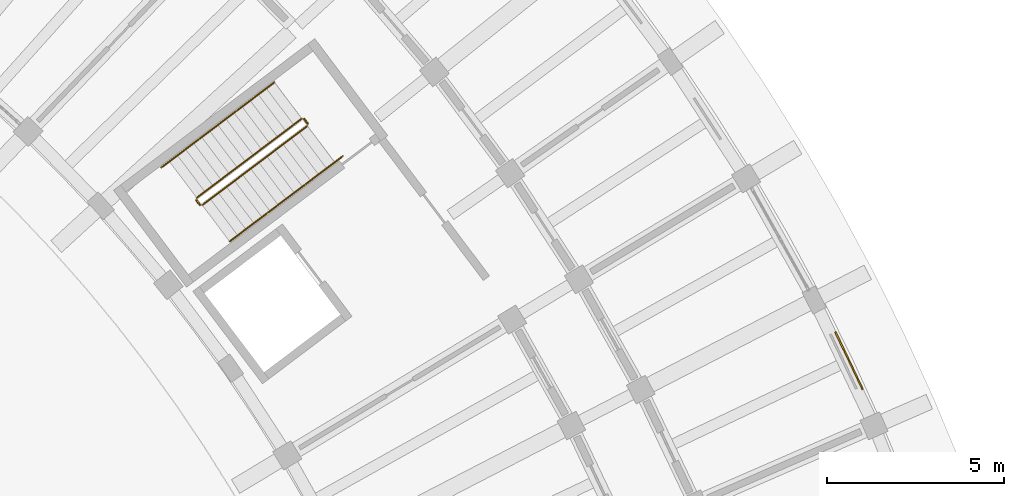
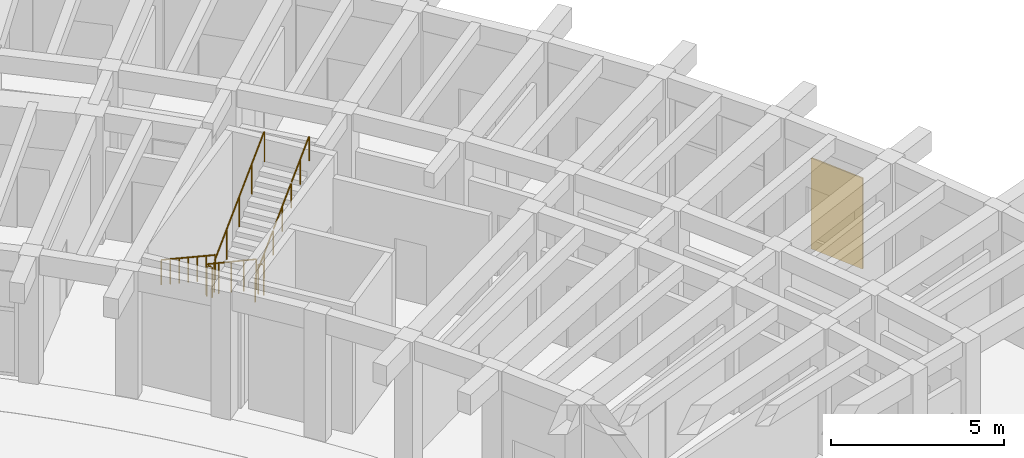
# One storey, part 130 of 132: 10 railings, 1 covering.
"""IFC4 building model written with IfcOpenShell, lengths in metres."""

import ifcopenshell
import ifcopenshell.guid

model = None  # the IFC model being written
_history = None  # IfcOwnerHistory: only IFC2X3 demands one
_inside = {}  # id of a spatial element -> (the spatial element, [elements in it])
_under = {}  # id of a project, library or spatial element -> (it, [spatial elements below it])
_declared = {}  # id of a project -> (the project, [libraries it declares])
_typed = {}  # id of a type object -> (the type object, [elements of that type])
_made_of = {}  # id of a material, layer set ... -> (it, [elements and type objects made of it])


def new_model(schema):
    """Start an empty IFC model of exactly this schema.

    Asked for "IFC4X3", IfcOpenShell would pick the latest addendum, in which some entities
    have other attributes; the version numbers below select the first issue.
    IFC2X3 requires an IfcOwnerHistory on every rooted entity: one is made here for all.
    """
    global model, _history
    if schema == "IFC4X3":
        model = ifcopenshell.file(schema_version=(4, 3, 0, 0))
    else:
        model = ifcopenshell.file(schema=schema)
    _inside.clear()
    _under.clear()
    _declared.clear()
    _typed.clear()
    _made_of.clear()
    _history = None
    if model.schema == "IFC2X3":
        org = make("IfcOrganization", Name="unknown")
        user = make(
            "IfcPersonAndOrganization",
            ThePerson=make("IfcPerson", FamilyName="unknown"),
            TheOrganization=org,
        )
        app = make(
            "IfcApplication",
            ApplicationDeveloper=org,
            Version="unknown",
            ApplicationFullName="unknown",
            ApplicationIdentifier="unknown",
        )
        _history = make(
            "IfcOwnerHistory",
            OwningUser=user,
            OwningApplication=app,
            ChangeAction="ADDED",
            CreationDate=0,
        )
    return model


def make(cls, **values):
    """One entity of the class cls with the attributes given. An attribute that is None is left unset."""
    return model.create_entity(
        cls, **{name: value for name, value in values.items() if value is not None}
    )


def rooted(cls, **values):
    """An entity with a GlobalId (a new one), such as an element, a storey or a relation."""
    return make(cls, GlobalId=ifcopenshell.guid.new(), OwnerHistory=_history, **values)


def si_unit(unit_type, name, prefix=None):
    """IfcSIUnit, for example si_unit("LENGTHUNIT", "METRE", prefix="MILLI")."""
    return make("IfcSIUnit", UnitType=unit_type, Prefix=prefix, Name=name)


def assignment(units):
    """IfcUnitAssignment: the units of a project."""
    return None if units is None else make("IfcUnitAssignment", Units=units)


def point(xyz):
    """IfcCartesianPoint."""
    return None if xyz is None else make("IfcCartesianPoint", Coordinates=xyz)


def direction(xyz):
    """IfcDirection."""
    return None if xyz is None else make("IfcDirection", DirectionRatios=xyz)


def frame(location, z_axis=None, x_axis=None):
    """IfcAxis2Placement3D, a coordinate frame: its origin and axes. An axis left out is left unset."""
    return make(
        "IfcAxis2Placement3D",
        Location=point(location),
        Axis=direction(z_axis),
        RefDirection=direction(x_axis),
    )


def frame_2d(location, x_axis=None):
    """IfcAxis2Placement2D, a coordinate frame in the plane: its origin and x axis."""
    return make(
        "IfcAxis2Placement2D", Location=point(location), RefDirection=direction(x_axis)
    )


def origin():
    """The frame at (0, 0, 0) with its axes left unset."""
    return frame((0.0, 0.0, 0.0))


def origin_2d():
    """The frame at (0, 0) in the plane with its x axis left unset."""
    return frame_2d((0.0, 0.0))


def place(relative_to, where):
    """IfcLocalPlacement: puts the frame where relative to a parent placement (None: the world)."""
    return make(
        "IfcLocalPlacement", PlacementRelTo=relative_to, RelativePlacement=where
    )


def context(
    kind, dimensions, precision=None, world=None, true_north=None, identifier=None
):
    """IfcGeometricRepresentationContext, for example the 3D "Model" context."""
    return make(
        "IfcGeometricRepresentationContext",
        ContextIdentifier=identifier,
        ContextType=kind,
        CoordinateSpaceDimension=dimensions,
        Precision=precision,
        WorldCoordinateSystem=world,
        TrueNorth=true_north,
    )


def subcontext(parent, identifier, kind, view, scale=None):
    """IfcGeometricRepresentationSubContext, for example "Body" below "Model"."""
    return make(
        "IfcGeometricRepresentationSubContext",
        ContextIdentifier=identifier,
        ContextType=kind,
        ParentContext=parent,
        TargetScale=scale,
        TargetView=view,
    )


def project(units=None, contexts=None):
    """IfcProject with its units and contexts."""
    return rooted(
        "IfcProject",
        Name="project",
        RepresentationContexts=contexts,
        UnitsInContext=assignment(units),
    )


def spatial(cls, under=None, at=None, **own):
    """A site, building, storey or space (cls), placed at a placement, below another one or the project."""
    s = rooted(cls, ObjectPlacement=at, **own)
    if under is not None:
        _under.setdefault(under.id(), (under, []))[1].append(s)
    return s


def profile(cls, at=None, kind="AREA", **sizes):
    """A parametric profile (cls). Its sizes go by their IFC names, for example OverallWidth=200.0."""
    return make(cls, ProfileType=kind, Position=at, **sizes)


def rectangle(**sizes):
    """IfcRectangleProfileDef."""
    return profile("IfcRectangleProfileDef", **sizes)


def circle(**sizes):
    """IfcCircleProfileDef."""
    return profile("IfcCircleProfileDef", **sizes)


def extrude(swept, where, along, depth):
    """IfcExtrudedAreaSolid: the profile swept, set in the frame where, extruded along a direction by depth."""
    return make(
        "IfcExtrudedAreaSolid",
        SweptArea=swept,
        Position=where,
        ExtrudedDirection=direction(along),
        Depth=depth,
    )


def shape(context_of_items, identifier, shape_type, items):
    """IfcShapeRepresentation: the items that make up one representation, for example the "Body"."""
    return make(
        "IfcShapeRepresentation",
        ContextOfItems=context_of_items,
        RepresentationIdentifier=identifier,
        RepresentationType=shape_type,
        Items=items,
    )


def material(Name=None, Category=None):
    """IfcMaterial."""
    return make("IfcMaterial", Name=Name, Category=Category)


def layer(
    of_material, thickness, ventilated=None, Name=None, Category=None, Priority=None
):
    """IfcMaterialLayer: one layer of a wall or slab, of a material (None: an air gap)."""
    return make(
        "IfcMaterialLayer",
        Material=of_material,
        LayerThickness=thickness,
        IsVentilated=ventilated,
        Name=Name,
        Category=Category,
        Priority=Priority,
    )


def layer_set(layers, Name=None):
    """IfcMaterialLayerSet."""
    return make("IfcMaterialLayerSet", MaterialLayers=layers, LayerSetName=Name)


def made_of(thing, what):
    """Note that an element or type object is made of a material, layer set ...; save() writes the relation."""
    if what is not None:
        _made_of.setdefault(what.id(), (what, []))[1].append(thing)
    return thing


def type_object(cls, material=None, **own):
    """A type object (cls), such as IfcWallType, which elements share."""
    return made_of(rooted(cls, **own), material)


def element(
    cls,
    number,
    at=None,
    inside=None,
    cuts=None,
    type_object=None,
    material=None,
    context=None,
    identifier="Body",
    shape_type=None,
    held_by="IfcProductDefinitionShape",
    body=None,
    shapes=None,
    **own,
):
    """One element of the class cls, such as IfcWall. Its Tag is "e" and its number.

    at: its placement. inside: the storey or other place that contains it. cuts: it is an
    opening in that element (IfcRelVoidsElement). A single representation is given by context,
    identifier, shape_type and body (its items); several are given by shapes. held_by: the class
    of the entity that holds the representations. save() writes the other relations.
    """
    e = rooted(cls, Tag="e%d" % number, ObjectPlacement=at, **own)
    if body is not None:
        shapes = [shape(context, identifier, shape_type, body)]
    if shapes is not None:
        e.Representation = make(held_by, Representations=shapes)
    if inside is not None:
        _inside.setdefault(inside.id(), (inside, []))[1].append(e)
    if cuts is not None:
        rooted(
            "IfcRelVoidsElement", RelatingBuildingElement=cuts, RelatedOpeningElement=e
        )
    if type_object is not None:
        _typed.setdefault(type_object.id(), (type_object, []))[1].append(e)
    return made_of(e, material)


def aggregate(whole, parts):
    """IfcRelAggregates: a whole, such as a stair, and the parts it consists of."""
    return rooted("IfcRelAggregates", RelatingObject=whole, RelatedObjects=parts)


def save(model, path):
    """Write the relations noted so far, then the file.

    IfcRelAggregates (storeys below a building ...), IfcRelContainedInSpatialStructure (elements
    in a storey), IfcRelDefinesByType, IfcRelAssociatesMaterial and IfcRelDeclares: one each for
    every whole, place, type object, material and project.
    """
    for whole, parts in _under.values():
        aggregate(whole, parts)
    for where, things in _inside.values():
        rooted(
            "IfcRelContainedInSpatialStructure",
            RelatedElements=things,
            RelatingStructure=where,
        )
    for kind, things in _typed.values():
        rooted("IfcRelDefinesByType", RelatedObjects=things, RelatingType=kind)
    for what, things in _made_of.values():
        rooted("IfcRelAssociatesMaterial", RelatedObjects=things, RelatingMaterial=what)
    for by, libraries in _declared.values():
        rooted("IfcRelDeclares", RelatingContext=by, RelatedDefinitions=libraries)
    model.write(path)


model = new_model("IFC4")

# Units and contexts
model_context = context("Model", 3, precision=1e-05, world=origin(), true_north=direction((0.0, 1.0)))
body_context = subcontext(model_context, "Body", "Model", "MODEL_VIEW")
ifc_project = project(units=[si_unit("LENGTHUNIT", "METRE"), si_unit("AREAUNIT", "SQUARE_METRE"), si_unit("VOLUMEUNIT", "CUBIC_METRE"), si_unit("PLANEANGLEUNIT", "RADIAN"), si_unit("MASSUNIT", "GRAM", prefix="KILO")], contexts=[model_context])

# Site, building, storey
site_placement = place(None, origin())
site = spatial("IfcSite", under=ifc_project, at=site_placement, CompositionType="ELEMENT")
building_placement = place(site_placement, origin())
building = spatial("IfcBuilding", under=site, at=building_placement, Name="Tanwirah Colonnade Gardens", CompositionType="ELEMENT")
storey_placement = place(building_placement, origin())
storey = spatial("IfcBuildingStorey", under=building, at=storey_placement, Name="L00", CompositionType="ELEMENT", Elevation=0.0)

# Covering
ifc_material_1 = material(Name="Rusticated Abu Dhabi cream limestone cladding", Category="masonry")
ifc_layer = layer(ifc_material_1, 0.044921875)
ifc_layer_set = layer_set([ifc_layer], Name="Rusticated Abu Dhabi cream limestone cladding")
covering_type = type_object("IfcCoveringType", Name="COV-CLAD45", PredefinedType="CLADDING", material=ifc_layer_set)
covering_placement = place(storey_placement, frame((174.8828125, 85.836669921875, 0.0), z_axis=(0.0, 0.0, 1.0), x_axis=(-0.429635732691, 0.903002290803, 0.0)))
element("IfcCovering", 1, at=covering_placement, inside=storey, type_object=covering_type, Name="Block B Base Limestone Rusticated Cladding", PredefinedType="CLADDING", context=body_context, shape_type="SweptSolid", body=[
    extrude(rectangle(XDim=1.800048828125, YDim=0.044921875, at=origin_2d()), origin(), (0.0, 0.0, 1.0), 3.199951171875),
])

# Railings
ifc_material_2 = material(Name="Powder-coated galvanized steel", Category="steel")
railing_type_1 = type_object("IfcRailingType", Name="GRD-ST110", PredefinedType="GUARDRAIL", material=ifc_material_2)
railing_1_placement = place(storey_placement, frame((159.46435546875, 92.6533203125, 0.169921875)))
element("IfcRailing", 2, at=railing_1_placement, inside=storey, type_object=railing_type_1, Name="L00 ST-B1 stair guard 1", PredefinedType="GUARDRAIL", context=body_context, shape_type="SweptSolid", body=[
    extrude(circle(Radius=0.02392578125, at=origin_2d()), frame((-0.021484375, -0.01611328125, 1.092041015625), z_axis=(-0.685890862882, -0.516851588341, 0.512267664258), x_axis=(0.601811867338, -0.798637888114, 0.0)), (0.0, 0.0, 1.0), 4.25146484375),
    extrude(circle(Radius=0.02099609375, at=origin_2d()), origin(), (0.0, 0.0, 1.0), 1.049072265625),
    extrude(circle(Radius=0.02099609375, at=origin_2d()), frame((-0.73974609375, -0.557373046875, 0.552490234375)), (0.0, 0.0, 1.0), 1.049072265625),
    extrude(circle(Radius=0.02099609375, at=origin_2d()), frame((-1.4794921875, -1.11474609375, 1.10498046875)), (0.0, 0.0, 1.0), 1.049072265625),
    extrude(circle(Radius=0.02099609375, at=origin_2d()), frame((-2.21923828125, -1.67236328125, 1.657470703125)), (0.0, 0.0, 1.0), 1.049072265625),
    extrude(circle(Radius=0.02099609375, at=origin_2d()), frame((-2.958984375, -2.229736328125, 2.2099609375)), (0.0, 0.0, 1.0), 1.049072265625),
])
railing_2_placement = place(storey_placement, frame((156.49560546875, 90.353759765625, 2.3798828125)))
element("IfcRailing", 3, at=railing_2_placement, inside=storey, type_object=railing_type_1, Name="L00 ST-B1 stair guard 2", PredefinedType="GUARDRAIL", context=body_context, shape_type="SweptSolid", body=[
    extrude(circle(Radius=0.02392578125, at=origin_2d()), frame((0.018798828125, -0.02490234375, 1.076171875), z_axis=(0.600975757569, -0.799267251183, 0.0), x_axis=(0.799267251183, 0.600975757569, 0.0)), (0.0, 0.0, 1.0), 0.09765625),
    extrude(circle(Radius=0.02099609375, at=origin_2d()), origin(), (0.0, 0.0, 1.0), 1.049072265625),
    extrude(circle(Radius=0.02099609375, at=origin_2d()), frame((0.09619140625, -0.1279296875, 0.0)), (0.0, 0.0, 1.0), 1.049072265625),
])
railing_3_placement = place(storey_placement, frame((156.661865234375, 90.216064453125, 2.550048828125)))
element("IfcRailing", 4, at=railing_3_placement, inside=storey, type_object=railing_type_1, Name="L00 ST-B1 stair guard 3", PredefinedType="GUARDRAIL", context=body_context, shape_type="SweptSolid", body=[
    extrude(circle(Radius=0.02392578125, at=origin_2d()), frame((0.021484375, 0.01611328125, 1.092041015625), z_axis=(0.685890862882, 0.516851588341, 0.512267664258), x_axis=(-0.601811867338, 0.798637888114, 0.0)), (0.0, 0.0, 1.0), 4.25146484375),
    extrude(circle(Radius=0.02099609375, at=origin_2d()), origin(), (0.0, 0.0, 1.0), 1.049072265625),
    extrude(circle(Radius=0.02099609375, at=origin_2d()), frame((0.73974609375, 0.557373046875, 0.552490234375)), (0.0, 0.0, 1.0), 1.049072265625),
    extrude(circle(Radius=0.02099609375, at=origin_2d()), frame((1.4794921875, 1.11474609375, 1.10498046875)), (0.0, 0.0, 1.0), 1.049072265625),
    extrude(circle(Radius=0.02099609375, at=origin_2d()), frame((2.21923828125, 1.67236328125, 1.657470703125)), (0.0, 0.0, 1.0), 1.049072265625),
    extrude(circle(Radius=0.02099609375, at=origin_2d()), frame((2.958984375, 2.229736328125, 2.2099609375)), (0.0, 0.0, 1.0), 1.049072265625),
])
railing_4_placement = place(storey_placement, frame((159.534423828125, 92.6435546875, 0.0)))
element("IfcRailing", 5, at=railing_4_placement, inside=storey, type_object=railing_type_1, Name="L00 ST-B1 stair guard 4", PredefinedType="GUARDRAIL", context=body_context, shape_type="SweptSolid", body=[
    extrude(circle(Radius=0.02392578125, at=origin_2d()), frame((0.018798828125, -0.02490234375, 1.076171875), z_axis=(0.601709070646, -0.798715339969, 0.0), x_axis=(0.798715339969, 0.601709070646, 0.0)), (0.0, 0.0, 1.0), 0.097412109375),
    extrude(circle(Radius=0.02099609375, at=origin_2d()), origin(), (0.0, 0.0, 1.0), 1.049072265625),
    extrude(circle(Radius=0.02099609375, at=origin_2d()), frame((0.09619140625, -0.127685546875, 0.0)), (0.0, 0.0, 1.0), 1.049072265625),
])
ifc_material_3 = material(Name="Brushed bronze stainless steel", Category="steel")
railing_type_2 = type_object("IfcRailingType", Name="HR-ST090", PredefinedType="HANDRAIL", material=ifc_material_3)
railing_5_placement = place(storey_placement, frame((158.694091796875, 93.67578125, 0.169921875)))
element("IfcRailing", 6, at=railing_5_placement, inside=storey, type_object=railing_type_2, Name="L00 ST-B1 stair handrail 1", PredefinedType="HANDRAIL", context=body_context, shape_type="SweptSolid", body=[
    extrude(circle(Radius=0.02392578125, at=origin_2d()), frame((-0.021484375, -0.01611328125, 0.891845703125), z_axis=(-0.684521379544, -0.515868904511, 0.515082279161), x_axis=(0.601848542841, -0.798610250047, 0.0)), (0.0, 0.0, 1.0), 1.4892578125),
    extrude(circle(Radius=0.02099609375, at=origin_2d()), origin(), (0.0, 0.0, 1.0), 0.848876953125),
    extrude(circle(Radius=0.02099609375, at=origin_2d()), frame((-0.53125, -0.400390625, 0.399658203125)), (0.0, 0.0, 1.0), 0.848876953125),
    extrude(circle(Radius=0.02099609375, at=origin_2d()), frame((-1.062255859375, -0.800537109375, 0.79931640625)), (0.0, 0.0, 1.0), 0.848876953125),
])
railing_6_placement = place(storey_placement, frame((157.6318359375, 92.875244140625, 0.96923828125)))
element("IfcRailing", 7, at=railing_6_placement, inside=storey, type_object=railing_type_2, Name="L00 ST-B1 stair handrail 2", PredefinedType="HANDRAIL", context=body_context, shape_type="SweptSolid", body=[
    extrude(circle(Radius=0.02392578125, at=origin_2d()), frame((-0.021484375, -0.01611328125, 0.891845703125), z_axis=(-0.684493317317, -0.515808987165, 0.515179568022), x_axis=(0.601819693306, -0.798631990812, 0.0)), (0.0, 0.0, 1.0), 1.489013671875),
    extrude(circle(Radius=0.02099609375, at=origin_2d()), origin(), (0.0, 0.0, 1.0), 0.848876953125),
    extrude(circle(Radius=0.02099609375, at=origin_2d()), frame((-0.531005859375, -0.400146484375, 0.399658203125)), (0.0, 0.0, 1.0), 0.848876953125),
    extrude(circle(Radius=0.02099609375, at=origin_2d()), frame((-1.06201171875, -0.80029296875, 0.79931640625)), (0.0, 0.0, 1.0), 0.848876953125),
])
railing_7_placement = place(storey_placement, frame((156.56982421875, 92.074951171875, 1.7685546875)))
element("IfcRailing", 8, at=railing_7_placement, inside=storey, type_object=railing_type_2, Name="L00 ST-B1 stair handrail 3", PredefinedType="HANDRAIL", context=body_context, shape_type="SweptSolid", body=[
    extrude(circle(Radius=0.02392578125, at=origin_2d()), frame((-0.021484375, -0.01611328125, 0.891845703125), z_axis=(-0.684465907383, -0.515827099589, 0.515197850306), x_axis=(0.601848542841, -0.798610250047, 0.0)), (0.0, 0.0, 1.0), 1.489501953125),
    extrude(circle(Radius=0.02099609375, at=origin_2d()), origin(), (0.0, 0.0, 1.0), 0.848876953125),
    extrude(circle(Radius=0.02099609375, at=origin_2d()), frame((-0.53125, -0.400390625, 0.39990234375)), (0.0, 0.0, 1.0), 0.848876953125),
    extrude(circle(Radius=0.02099609375, at=origin_2d()), frame((-1.062255859375, -0.800537109375, 0.799560546875)), (0.0, 0.0, 1.0), 0.848876953125),
])
railing_8_placement = place(storey_placement, frame((157.432373046875, 89.19384765625, 2.550048828125)))
element("IfcRailing", 9, at=railing_8_placement, inside=storey, type_object=railing_type_2, Name="L00 ST-B1 stair handrail 4", PredefinedType="HANDRAIL", context=body_context, shape_type="SweptSolid", body=[
    extrude(circle(Radius=0.02392578125, at=origin_2d()), frame((0.021484375, 0.01611328125, 0.891845703125), z_axis=(0.684493317317, 0.515808987165, 0.515179568022), x_axis=(-0.601819693306, 0.798631990812, 0.0)), (0.0, 0.0, 1.0), 1.489013671875),
    extrude(circle(Radius=0.02099609375, at=origin_2d()), origin(), (0.0, 0.0, 1.0), 0.848876953125),
    extrude(circle(Radius=0.02099609375, at=origin_2d()), frame((0.531005859375, 0.400146484375, 0.399658203125)), (0.0, 0.0, 1.0), 0.848876953125),
    extrude(circle(Radius=0.02099609375, at=origin_2d()), frame((1.06201171875, 0.80029296875, 0.79931640625)), (0.0, 0.0, 1.0), 0.848876953125),
])
railing_9_placement = place(storey_placement, frame((158.494384765625, 89.994140625, 3.349365234375)))
element("IfcRailing", 10, at=railing_9_placement, inside=storey, type_object=railing_type_2, Name="L00 ST-B1 stair handrail 5", PredefinedType="HANDRAIL", context=body_context, shape_type="SweptSolid", body=[
    extrude(circle(Radius=0.02392578125, at=origin_2d()), frame((0.021484375, 0.01611328125, 0.891845703125), z_axis=(0.684521379544, 0.515868904511, 0.515082279161), x_axis=(-0.601848542841, 0.798610250047, 0.0)), (0.0, 0.0, 1.0), 1.4892578125),
    extrude(circle(Radius=0.02099609375, at=origin_2d()), origin(), (0.0, 0.0, 1.0), 0.848876953125),
    extrude(circle(Radius=0.02099609375, at=origin_2d()), frame((0.53125, 0.400390625, 0.399658203125)), (0.0, 0.0, 1.0), 0.848876953125),
    extrude(circle(Radius=0.02099609375, at=origin_2d()), frame((1.062255859375, 0.800537109375, 0.79931640625)), (0.0, 0.0, 1.0), 0.848876953125),
])
railing_10_placement = place(storey_placement, frame((159.556640625, 90.794677734375, 4.148681640625)))
element("IfcRailing", 11, at=railing_10_placement, inside=storey, type_object=railing_type_2, Name="L00 ST-B1 stair handrail 6", PredefinedType="HANDRAIL", context=body_context, shape_type="SweptSolid", body=[
    extrude(circle(Radius=0.02392578125, at=origin_2d()), frame((0.021484375, 0.01611328125, 0.891845703125), z_axis=(0.684576932982, 0.515753432847, 0.515124081495), x_axis=(-0.601731461546, 0.798698471381, 0.0)), (0.0, 0.0, 1.0), 1.4892578125),
    extrude(circle(Radius=0.02099609375, at=origin_2d()), origin(), (0.0, 0.0, 1.0), 0.848876953125),
    extrude(circle(Radius=0.02099609375, at=origin_2d()), frame((0.53125, 0.400146484375, 0.399658203125)), (0.0, 0.0, 1.0), 0.848876953125),
    extrude(circle(Radius=0.02099609375, at=origin_2d()), frame((1.062255859375, 0.80029296875, 0.79931640625)), (0.0, 0.0, 1.0), 0.848876953125),
])

save(model, "model.ifc")
